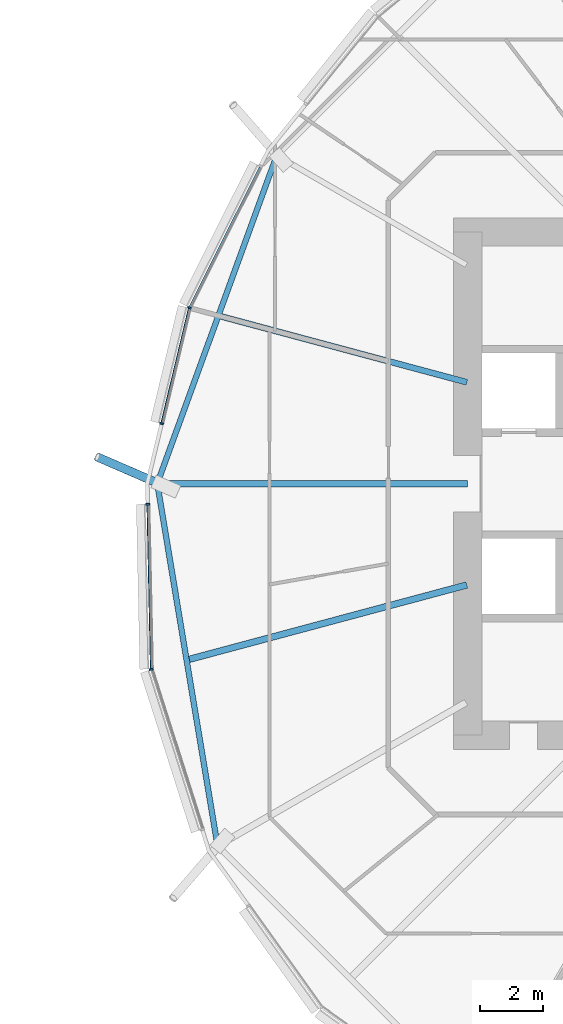
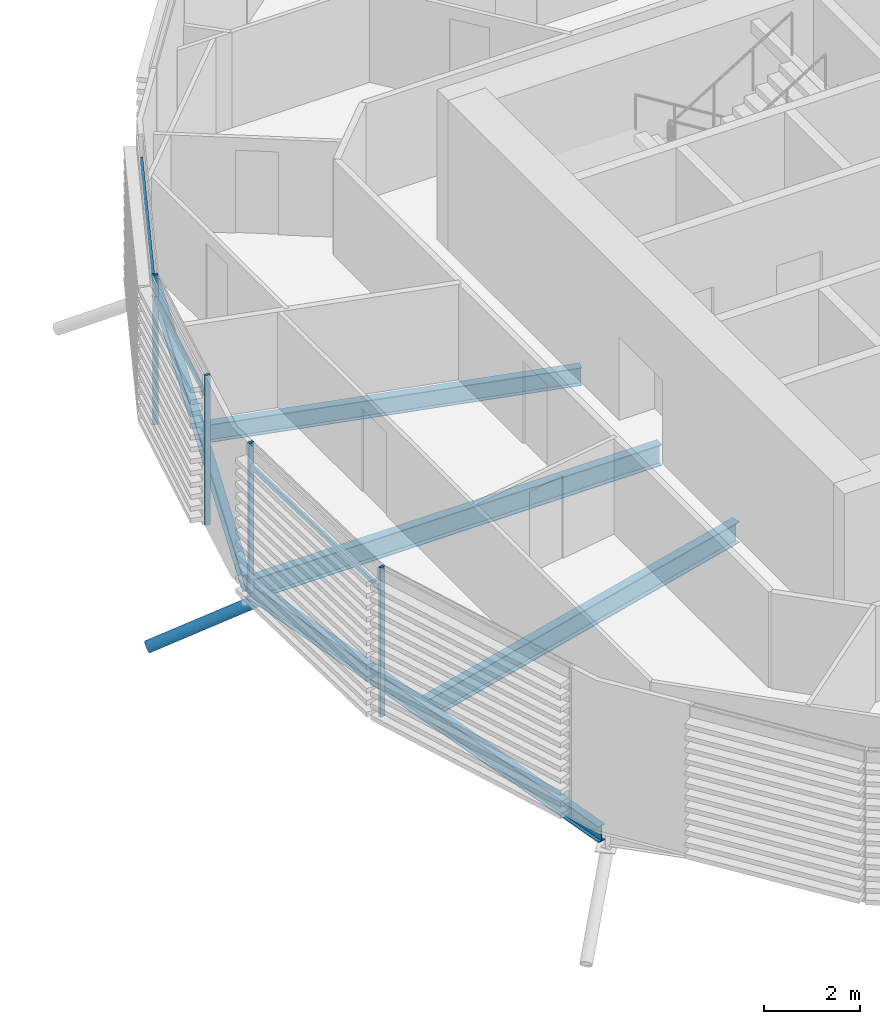
# One storey, part 13 of 38: 8 members, 5 beams, 1 element without a shape of its own.
"""IFC4 building model written with IfcOpenShell, lengths in metres."""

from ifc_helpers import new_model, si_unit, direction, frame, origin, origin_2d, place, context, subcontext, project, spatial, rectangle, hollow_circle, i_section, extrude, clip, halfspace, material, material_profile, profile_set, type_object, element, aggregate, save


model = new_model("IFC4")

# Units and contexts
model_context = context("Model", 3, precision=1e-05, world=origin(), true_north=direction((0.0, 1.0)))
body_context = subcontext(model_context, "Body", "Model", "MODEL_VIEW")
ifc_project = project(units=[si_unit("LENGTHUNIT", "METRE"), si_unit("AREAUNIT", "SQUARE_METRE"), si_unit("VOLUMEUNIT", "CUBIC_METRE"), si_unit("PLANEANGLEUNIT", "RADIAN"), si_unit("MASSUNIT", "GRAM", prefix="KILO")], contexts=[model_context])

# Site, building, storey
site_placement = place(None, origin())
site = spatial("IfcSite", under=ifc_project, at=site_placement, CompositionType="ELEMENT")
building_placement = place(site_placement, origin())
building = spatial("IfcBuilding", under=site, at=building_placement, Name="Rimbun Link Towers", CompositionType="ELEMENT")
storey_placement = place(building_placement, frame((0.0, 0.0, 68.0)))
storey = spatial("IfcBuildingStorey", under=building, at=storey_placement, Name="L16", CompositionType="ELEMENT", Elevation=68.0)

# Curtain wall, members
ifc_material_1 = material(Name="Aluminium 6063-T6 and low-iron glass", Category="aluminium")
curtain_wall_type = type_object("IfcCurtainWallType", Name="CW1 unitised vision wall", PredefinedType="NOTDEFINED", material=ifc_material_1)
curtain_wall_placement = place(storey_placement, origin())
curtain_wall = element("IfcCurtainWall", 1, at=curtain_wall_placement, inside=storey, type_object=curtain_wall_type, Name="CW1 L16 T2", PredefinedType="NOTDEFINED")
ifc_material_2 = material(Name="Aluminium 6063-T6", Category="aluminium")
ifc_material_profile_1 = material_profile(ifc_material_2, rectangle(XDim=0.1201171875, YDim=0.06005859375, at=origin_2d()), Name="MULLION 60X120")
ifc_profile_set_1 = profile_set([ifc_material_profile_1], Name="Aluminium 6063-T6")
member_type_1 = type_object("IfcMemberType", Name="CW1 mullion 60X120", PredefinedType="MULLION", material=ifc_profile_set_1)
member_1_placement = place(storey_placement, frame((10.8974609375, 5.593017578125, 0.0), z_axis=(0.0, 0.0, 1.0), x_axis=(-0.939346368321, 0.34296997, 0.0)))
member_1 = element("IfcMember", 2, at=member_1_placement, type_object=member_type_1, Name="CW1 mullion", PredefinedType="MULLION", context=body_context, shape_type="SweptSolid", body=[
    extrude(rectangle(XDim=0.1201171875, YDim=0.06005859375, at=origin_2d()), origin(), (0.0, 0.0, 1.0), 3.800048828125),
])
member_2_placement = place(storey_placement, frame((10.01611328125, 1.910400390625, 0.0), z_axis=(0.0, 0.0, 1.0), x_axis=(-0.972572197016, 0.232601207201, 0.0)))
member_2 = element("IfcMember", 3, at=member_2_placement, type_object=member_type_1, Name="CW1 mullion", PredefinedType="MULLION", context=body_context, shape_type="SweptSolid", body=[
    extrude(rectangle(XDim=0.1201171875, YDim=0.06005859375, at=origin_2d()), origin(), (0.0, 0.0, 1.0), 3.800048828125),
])
member_3_placement = place(storey_placement, frame((9.68603515625, -5.906005859375, 0.0), z_axis=(0.0, 0.0, 1.0), x_axis=(-0.986502827503, -0.16374422533, 0.0)))
member_3 = element("IfcMember", 4, at=member_3_placement, type_object=member_type_1, Name="CW1 mullion", PredefinedType="MULLION", context=body_context, shape_type="SweptSolid", body=[
    extrude(rectangle(XDim=0.1201171875, YDim=0.06005859375, at=origin_2d()), origin(), (0.0, 0.0, 1.0), 3.800048828125),
])
member_4_placement = place(storey_placement, frame((9.57470703125, -0.651123046875, 0.0), z_axis=(0.0, 0.0, 1.0), x_axis=(-0.999778219026, -0.021059742681, 0.0)))
member_4 = element("IfcMember", 5, at=member_4_placement, type_object=member_type_1, Name="CW1 mullion", PredefinedType="MULLION", context=body_context, shape_type="SweptSolid", body=[
    extrude(rectangle(XDim=0.1201171875, YDim=0.06005859375, at=origin_2d()), origin(), (0.0, 0.0, 1.0), 3.800048828125),
])
ifc_material_3 = material(Name="Aluminium 6063-T6", Category="aluminium")
ifc_material_profile_2 = material_profile(ifc_material_3, rectangle(XDim=0.06005859375, YDim=0.1201171875, at=origin_2d()), Name="TRANSOM 60X120")
ifc_profile_set_2 = profile_set([ifc_material_profile_2], Name="Aluminium 6063-T6")
member_type_2 = type_object("IfcMemberType", Name="CW1 transom 60X120", PredefinedType="USERDEFINED", material=ifc_profile_set_2)
member_5_placement = place(storey_placement, frame((10.915283203125, 5.625244140625, 3.199951171875), z_axis=(0.448784313337, 0.893640106588, 0.0), x_axis=(-0.893640106588, 0.448784313337, 0.0)))
member_5 = element("IfcMember", 6, at=member_5_placement, type_object=member_type_2, Name="CW1 transom", ObjectType="TRANSOM", PredefinedType="USERDEFINED", context=body_context, shape_type="SweptSolid", body=[
    extrude(rectangle(XDim=0.06005859375, YDim=0.1201171875, at=origin_2d()), origin(), (0.0, 0.0, 1.0), 4.9716796875),
])
member_6_placement = place(storey_placement, frame((10.025146484375, 1.939208984375, 3.199951171875), z_axis=(0.232623153405, 0.972566948081, 0.0), x_axis=(-0.972566948081, 0.232623153405, 0.0)))
member_6 = element("IfcMember", 7, at=member_6_placement, type_object=member_type_2, Name="CW1 transom", ObjectType="TRANSOM", PredefinedType="USERDEFINED", context=body_context, shape_type="SweptSolid", body=[
    extrude(rectangle(XDim=0.06005859375, YDim=0.1201171875, at=origin_2d()), origin(), (0.0, 0.0, 1.0), 3.719482421875),
])
member_7_placement = place(storey_placement, frame((9.6865234375, -5.867431640625, 3.199951171875), z_axis=(-0.021037568732, 0.999778685861, 0.0), x_axis=(-0.999778685861, -0.021037568732, 0.0)))
member_7 = element("IfcMember", 8, at=member_7_placement, type_object=member_type_2, Name="CW1 transom", ObjectType="TRANSOM", PredefinedType="USERDEFINED", context=body_context, shape_type="SweptSolid", body=[
    extrude(rectangle(XDim=0.06005859375, YDim=0.1201171875, at=origin_2d()), origin(), (0.0, 0.0, 1.0), 5.1875),
])
aggregate(curtain_wall, [member_1, member_2, member_3, member_4, member_5, member_6, member_7])

# Member
ifc_material_4 = material(Name="Steel S355J2H", Category="steel")
ifc_material_profile_3 = material_profile(ifc_material_4, hollow_circle(Radius=0.136474609375, WallThickness=0.012451171875, at=origin_2d()), Name="CHS 273x12.5")
ifc_profile_set_3 = profile_set([ifc_material_profile_3], Name="Steel S355J2H")
member_type_3 = type_object("IfcMemberType", Name="Floor edge link CHS 273x12.5", PredefinedType="BRACE", material=ifc_profile_set_3)
member_8_placement = place(storey_placement, frame((9.927978515625, 0.0, -0.818115234375), z_axis=(-0.842556252471, 0.364693206142, -0.396355682205), x_axis=(-0.397227298003, -0.917720258968, 0.0)))
element("IfcMember", 9, at=member_8_placement, inside=storey, type_object=member_type_3, Name="Floor edge link T2 L16 09", PredefinedType="BRACE", context=body_context, shape_type="Clipping", body=[
    clip(extrude(hollow_circle(Radius=0.136474609375, WallThickness=0.012451171875, at=origin_2d()), frame((0.0, 0.0, -0.65771484375)), (0.0, 0.0, 1.0), 2.993896484375), halfspace(frame((0.0, 0.0, -0.310302734375), z_axis=(0.0, 0.918097039089, -0.396355682205)), False)),
])

# Beams
ifc_material_5 = material(Name="Steel S355J2", Category="steel")
ifc_material_profile_4 = material_profile(ifc_material_5, i_section(OverallWidth=0.177978515625, OverallDepth=0.406494140625, WebThickness=0.0078125, FlangeThickness=0.0126953125, at=origin_2d()), Name="UB 406x178x60")
ifc_profile_set_4 = profile_set([ifc_material_profile_4], Name="Steel S355J2")
beam_type_1 = type_object("IfcBeamType", Name="UB 406x178x60", PredefinedType="BEAM", material=ifc_profile_set_4)
beam_1_placement = place(storey_placement, frame((13.647705078125, 10.351318359375, -0.36328125), z_axis=(-0.342190666509, -0.9396305379, 0.0), x_axis=(0.9396305379, -0.342190666509, 0.0)))
element("IfcBeam", 10, at=beam_1_placement, inside=storey, type_object=beam_type_1, Name="Edge beam T2 L16 07-09", PredefinedType="BEAM", context=body_context, shape_type="SweptSolid", body=[
    extrude(i_section(OverallWidth=0.177978515625, OverallDepth=0.406494140625, WebThickness=0.0078125, FlangeThickness=0.0126953125, at=origin_2d()), origin(), (0.0, 0.0, 1.0), 10.90380859375),
])
beam_2_placement = place(storey_placement, frame((9.8955078125, -0.105712890625, -0.36328125), z_axis=(0.164243513251, -0.986419823582, 0.0), x_axis=(0.986419823582, 0.164243513251, 0.0)))
element("IfcBeam", 11, at=beam_2_placement, inside=storey, type_object=beam_type_1, Name="Edge beam T2 L16 09-11", PredefinedType="BEAM", context=body_context, shape_type="SweptSolid", body=[
    extrude(i_section(OverallWidth=0.177978515625, OverallDepth=0.406494140625, WebThickness=0.0078125, FlangeThickness=0.0126953125, at=origin_2d()), origin(), (0.0, 0.0, 1.0), 11.458984375),
])
ifc_material_6 = material(Name="Steel S355J2", Category="steel")
ifc_material_profile_5 = material_profile(ifc_material_6, i_section(OverallWidth=0.18994140625, OverallDepth=0.453369140625, WebThickness=0.008544921875, FlangeThickness=0.0126953125, at=origin_2d()), Name="UB 457x191x67")
ifc_profile_set_5 = profile_set([ifc_material_profile_5], Name="Steel S355J2")
beam_type_2 = type_object("IfcBeamType", Name="UB 457x191x67", PredefinedType="BEAM", material=ifc_profile_set_5)
beam_3_placement = place(storey_placement, frame((19.724609375, 3.22216796875, -0.38671875), z_axis=(-0.96592420956, 0.25882507874, 0.0), x_axis=(-0.25882507874, -0.96592420956, 0.0)))
element("IfcBeam", 12, at=beam_3_placement, inside=storey, type_object=beam_type_2, Name="Radial beam T2 L16 08", PredefinedType="BEAM", context=body_context, shape_type="SweptSolid", body=[
    extrude(i_section(OverallWidth=0.18994140625, OverallDepth=0.453369140625, WebThickness=0.008544921875, FlangeThickness=0.0126953125, at=origin_2d()), origin(), (0.0, 0.0, 1.0), 8.09033203125),
])
ifc_material_7 = material(Name="Steel S355J2", Category="steel")
ifc_material_profile_6 = material_profile(ifc_material_7, i_section(OverallWidth=0.209228515625, OverallDepth=0.533203125, WebThickness=0.010009765625, FlangeThickness=0.015625, at=origin_2d()), Name="UB 533x210x92")
ifc_profile_set_6 = profile_set([ifc_material_profile_6], Name="Steel S355J2")
beam_type_3 = type_object("IfcBeamType", Name="UB 533x210x92", PredefinedType="BEAM", material=ifc_profile_set_6)
beam_4_placement = place(storey_placement, frame((19.7490234375, 0.0, -0.426513671875), z_axis=(-1.0, 0.0, 0.0), x_axis=(0.0, -1.0, 0.0)))
element("IfcBeam", 13, at=beam_4_placement, inside=storey, type_object=beam_type_3, Name="Radial beam T2 L16 09", PredefinedType="BEAM", context=body_context, shape_type="SweptSolid", body=[
    extrude(i_section(OverallWidth=0.209228515625, OverallDepth=0.533203125, WebThickness=0.010009765625, FlangeThickness=0.015625, at=origin_2d()), origin(), (0.0, 0.0, 1.0), 9.870849609375),
])
beam_5_placement = place(storey_placement, frame((19.721923828125, -3.222900390625, -0.426513671875), z_axis=(-0.965925024177, -0.258822038606, 0.0), x_axis=(0.258822038606, -0.965925024177, 0.0)))
element("IfcBeam", 14, at=beam_5_placement, inside=storey, type_object=beam_type_3, Name="Radial beam T2 L16 10", PredefinedType="BEAM", context=body_context, shape_type="SweptSolid", body=[
    extrude(i_section(OverallWidth=0.209228515625, OverallDepth=0.533203125, WebThickness=0.010009765625, FlangeThickness=0.015625, at=origin_2d()), origin(), (0.0, 0.0, 1.0), 9.1337890625),
])

save(model, "model.ifc")
